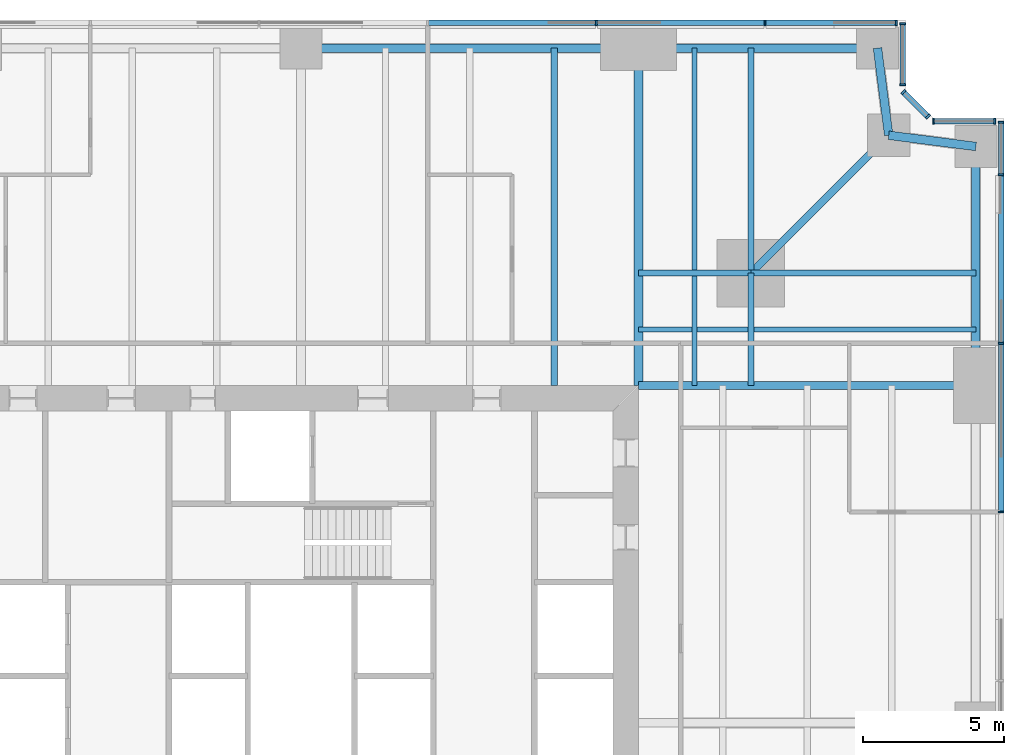
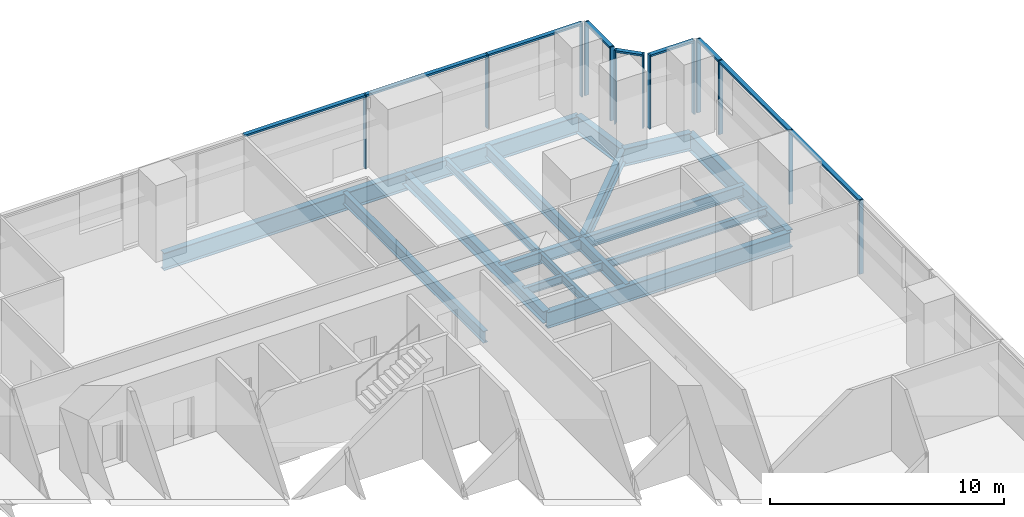
# One storey, part 7 of 13: 22 members, 18 beams, 5 elements without a shape of their own.
"""IFC4 building model written with IfcOpenShell, lengths in metres."""

from ifc_helpers import new_model, si_unit, direction, frame, origin, origin_2d, place, context, subcontext, project, spatial, rectangle, i_section, extrude, material, material_profile, profile_set, type_object, element, aggregate, save


model = new_model("IFC4")

# Units and contexts
model_context = context("Model", 3, precision=1e-05, world=origin(), true_north=direction((0.0, 1.0)))
body_context = subcontext(model_context, "Body", "Model", "MODEL_VIEW")
ifc_project = project(units=[si_unit("LENGTHUNIT", "METRE"), si_unit("AREAUNIT", "SQUARE_METRE"), si_unit("VOLUMEUNIT", "CUBIC_METRE"), si_unit("PLANEANGLEUNIT", "RADIAN"), si_unit("MASSUNIT", "GRAM", prefix="KILO")], contexts=[model_context])

# Site, building, storey
site_placement = place(None, origin())
site = spatial("IfcSite", under=ifc_project, at=site_placement, CompositionType="ELEMENT")
building_placement = place(site_placement, origin())
building = spatial("IfcBuilding", under=site, at=building_placement, Name="Fenwick Lantern Interchange", CompositionType="ELEMENT")
storey_placement = place(building_placement, frame((0.0, 0.0, 47.0)))
storey = spatial("IfcBuildingStorey", under=building, at=storey_placement, Name="L10", CompositionType="ELEMENT", Elevation=47.0)

# Beams
ifc_material_1 = material(Name="Steel ASTM A992 Grade 50", Category="steel")
ifc_material_profile_1 = material_profile(ifc_material_1, i_section(OverallWidth=0.3046875, OverallDepth=0.911865234375, WebThickness=0.015869140625, FlangeThickness=0.02392578125, at=origin_2d()), Name="W36X150")
ifc_profile_set_1 = profile_set([ifc_material_profile_1], Name="Steel ASTM A992 Grade 50")
beam_type_1 = type_object("IfcBeamType", Name="EDGE BEAM W36X150", PredefinedType="SPANDREL", material=ifc_profile_set_1)
beam_1_placement = place(storey_placement, frame((49.0, 37.0, -0.60595703125), z_axis=(0.0, 1.0, 0.0), x_axis=(-1.0, 0.0, 0.0)))
element("IfcBeam", 1, at=beam_1_placement, inside=storey, type_object=beam_type_1, Name="L10/FR/E/EB4", PredefinedType="SPANDREL", context=body_context, shape_type="SweptSolid", body=[
    extrude(i_section(OverallWidth=0.3046875, OverallDepth=0.911865234375, WebThickness=0.015869140625, FlangeThickness=0.02392578125, at=origin_2d()), origin(), (0.0, 0.0, 1.0), 8.5),
])
for number, where, z_axis, x_axis, name in (
    (2, (49.0, 45.5, -0.60595703125), (-0.991782342897, 0.127936641807, 0.0), (-0.127936641807, -0.991782342897, 0.0), "L10/FR/E/EBR1"),
    (3, (45.89990234375, 45.89990234375, -0.60595703125), (-0.127936641807, 0.991782342897, 0.0), (-0.991782342897, -0.127936641807, 0.0), "L10/FR/E/EBR2"),
):
    element("IfcBeam", number, at=place(storey_placement, frame(where, z_axis=z_axis, x_axis=x_axis)), inside=storey, type_object=beam_type_1, Name=name, PredefinedType="SPANDREL", context=body_context, shape_type="SweptSolid", body=[
        extrude(i_section(OverallWidth=0.3046875, OverallDepth=0.911865234375, WebThickness=0.015869140625, FlangeThickness=0.02392578125, at=origin_2d()), origin(), (0.0, 0.0, 1.0), 3.125732421875),
    ])
beam_2_placement = place(storey_placement, frame((45.5, 49.0, -0.60595703125), z_axis=(-1.0, 0.0, 0.0), x_axis=(0.0, -1.0, 0.0)))
element("IfcBeam", 4, at=beam_2_placement, inside=storey, type_object=beam_type_1, Name="L10/FR/N/EB1", PredefinedType="SPANDREL", context=body_context, shape_type="SweptSolid", body=[
    extrude(i_section(OverallWidth=0.3046875, OverallDepth=0.911865234375, WebThickness=0.015869140625, FlangeThickness=0.02392578125, at=origin_2d()), origin(), (0.0, 0.0, 1.0), 8.5),
])
beam_3_placement = place(storey_placement, frame((37.0, 49.0, -0.60595703125), z_axis=(-1.0, 0.0, 0.0), x_axis=(0.0, -1.0, 0.0)))
element("IfcBeam", 5, at=beam_3_placement, inside=storey, type_object=beam_type_1, Name="L10/FR/N/EB2", PredefinedType="SPANDREL", context=body_context, shape_type="SweptSolid", body=[
    extrude(i_section(OverallWidth=0.3046875, OverallDepth=0.911865234375, WebThickness=0.015869140625, FlangeThickness=0.02392578125, at=origin_2d()), origin(), (0.0, 0.0, 1.0), 12.0),
])
ifc_material_profile_2 = material_profile(ifc_material_1, i_section(OverallWidth=0.22900390625, OverallDepth=0.612060546875, WebThickness=0.011962890625, FlangeThickness=0.01953125, at=origin_2d()), Name="W24X84")
ifc_profile_set_2 = profile_set([ifc_material_profile_2], Name="Steel ASTM A992 Grade 50")
beam_type_2 = type_object("IfcBeamType", Name="FLOOR BEAM W24X84", PredefinedType="BEAM", material=ifc_profile_set_2)
beam_4_placement = place(storey_placement, frame((34.0, 49.0, -0.4560546875), z_axis=(0.0, -1.0, 0.0), x_axis=(1.0, 0.0, 0.0)))
element("IfcBeam", 6, at=beam_4_placement, inside=storey, type_object=beam_type_2, Name="L10/FR/N/R02", PredefinedType="BEAM", context=body_context, shape_type="SweptSolid", body=[
    extrude(i_section(OverallWidth=0.22900390625, OverallDepth=0.612060546875, WebThickness=0.011962890625, FlangeThickness=0.01953125, at=origin_2d()), origin(), (0.0, 0.0, 1.0), 12.0),
])
ifc_material_profile_3 = material_profile(ifc_material_1, i_section(OverallWidth=0.177734375, OverallDepth=0.406494140625, WebThickness=0.0078125, FlangeThickness=0.012939453125, at=origin_2d()), Name="W16X40")
ifc_profile_set_3 = profile_set([ifc_material_profile_3], Name="Steel ASTM A992 Grade 50")
beam_type_3 = type_object("IfcBeamType", Name="INFILL BEAM W16X40", PredefinedType="JOIST", material=ifc_profile_set_3)
beam_5_placement = place(storey_placement, frame((39.0, 49.0, -0.353271484375), z_axis=(0.0, -1.0, 0.0), x_axis=(1.0, 0.0, 0.0)))
element("IfcBeam", 7, at=beam_5_placement, inside=storey, type_object=beam_type_3, Name="L10/FR/N/J1", PredefinedType="JOIST", context=body_context, shape_type="SweptSolid", body=[
    extrude(i_section(OverallWidth=0.177734375, OverallDepth=0.406494140625, WebThickness=0.0078125, FlangeThickness=0.012939453125, at=origin_2d()), origin(), (0.0, 0.0, 1.0), 7.885498046875),
])
beam_6_placement = place(storey_placement, frame((39.0, 40.885498046875, -0.353271484375), z_axis=(0.0, -1.0, 0.0), x_axis=(1.0, 0.0, 0.0)))
element("IfcBeam", 8, at=beam_6_placement, inside=storey, type_object=beam_type_3, Name="L10/FR/N/J2", PredefinedType="JOIST", context=body_context, shape_type="SweptSolid", body=[
    extrude(i_section(OverallWidth=0.177734375, OverallDepth=0.406494140625, WebThickness=0.0078125, FlangeThickness=0.012939453125, at=origin_2d()), origin(), (0.0, 0.0, 1.0), 3.885498046875),
])
beam_7_placement = place(storey_placement, frame((49.0, 39.0, -0.353271484375), z_axis=(-1.0, 0.0, 0.0), x_axis=(0.0, -1.0, 0.0)))
element("IfcBeam", 9, at=beam_7_placement, inside=storey, type_object=beam_type_3, Name="L10/FR/N/J3", PredefinedType="JOIST", context=body_context, shape_type="SweptSolid", body=[
    extrude(i_section(OverallWidth=0.177734375, OverallDepth=0.406494140625, WebThickness=0.0078125, FlangeThickness=0.012939453125, at=origin_2d()), origin(), (0.0, 0.0, 1.0), 7.885498046875),
])
beam_8_placement = place(storey_placement, frame((40.885498046875, 39.0, -0.353271484375), z_axis=(-1.0, 0.0, 0.0), x_axis=(0.0, -1.0, 0.0)))
element("IfcBeam", 10, at=beam_8_placement, inside=storey, type_object=beam_type_3, Name="L10/FR/N/J4", PredefinedType="JOIST", context=body_context, shape_type="SweptSolid", body=[
    extrude(i_section(OverallWidth=0.177734375, OverallDepth=0.406494140625, WebThickness=0.0078125, FlangeThickness=0.012939453125, at=origin_2d()), origin(), (0.0, 0.0, 1.0), 1.796630859375),
])
beam_9_placement = place(storey_placement, frame((38.9111328125, 39.0, -0.353271484375), z_axis=(-1.0, 0.0, 0.0), x_axis=(0.0, -1.0, 0.0)))
element("IfcBeam", 11, at=beam_9_placement, inside=storey, type_object=beam_type_3, Name="L10/FR/N/J5", PredefinedType="JOIST", context=body_context, shape_type="SweptSolid", body=[
    extrude(i_section(OverallWidth=0.177734375, OverallDepth=0.406494140625, WebThickness=0.0078125, FlangeThickness=0.012939453125, at=origin_2d()), origin(), (0.0, 0.0, 1.0), 1.9111328125),
])
ifc_material_profile_4 = material_profile(ifc_material_1, i_section(OverallWidth=0.22900390625, OverallDepth=0.612060546875, WebThickness=0.011962890625, FlangeThickness=0.01953125, at=origin_2d()), Name="W24X84")
ifc_profile_set_4 = profile_set([ifc_material_profile_4], Name="Steel ASTM A992 Grade 50")
beam_type_4 = type_object("IfcBeamType", Name="MEGA COLUMN BEAM W24X84", PredefinedType="BEAM", material=ifc_profile_set_4)
for number, where, z_axis, x_axis, name in (
    (12, (41.0, 41.0, -0.4560546875), (0.0, 1.0, 0.0), (-1.0, 0.0, 0.0), "L10/FR/N/MB1"),
    (13, (41.0, 41.0, -0.4560546875), (1.0, 0.0, 0.0), (0.0, 1.0, 0.0), "L10/FR/N/MB2"),
):
    element("IfcBeam", number, at=place(storey_placement, frame(where, z_axis=z_axis, x_axis=x_axis)), inside=storey, type_object=beam_type_4, Name=name, PredefinedType="BEAM", context=body_context, shape_type="SweptSolid", body=[
        extrude(i_section(OverallWidth=0.22900390625, OverallDepth=0.612060546875, WebThickness=0.011962890625, FlangeThickness=0.01953125, at=origin_2d()), origin(), (0.0, 0.0, 1.0), 8.0),
    ])
for number, where, z_axis, x_axis, name in (
    (14, (41.0, 41.0, -0.4560546875), (-1.0, 0.0, 0.0), (0.0, -1.0, 0.0), "L10/FR/N/MB3"),
    (15, (41.0, 41.0, -0.4560546875), (0.0, -1.0, 0.0), (1.0, 0.0, 0.0), "L10/FR/N/MB4"),
):
    element("IfcBeam", number, at=place(storey_placement, frame(where, z_axis=z_axis, x_axis=x_axis)), inside=storey, type_object=beam_type_4, Name=name, PredefinedType="BEAM", context=body_context, shape_type="SweptSolid", body=[
        extrude(i_section(OverallWidth=0.22900390625, OverallDepth=0.612060546875, WebThickness=0.011962890625, FlangeThickness=0.01953125, at=origin_2d()), origin(), (0.0, 0.0, 1.0), 4.0),
    ])
ifc_material_profile_5 = material_profile(ifc_material_1, i_section(OverallWidth=0.32763671875, OverallDepth=0.622314453125, WebThickness=0.015380859375, FlangeThickness=0.0244140625, at=origin_2d()), Name="W24X131")
ifc_profile_set_5 = profile_set([ifc_material_profile_5], Name="Steel ASTM A992 Grade 50")
beam_type_5 = type_object("IfcBeamType", Name="MOMENT-CONNECTED GIRDER W24X131", PredefinedType="BEAM", material=ifc_profile_set_5)
beam_10_placement = place(storey_placement, frame((37.0, 49.0, -0.461181640625), z_axis=(0.0, -1.0, 0.0), x_axis=(1.0, 0.0, 0.0)))
element("IfcBeam", 16, at=beam_10_placement, inside=storey, type_object=beam_type_5, Name="L10/FR/N/R01", PredefinedType="BEAM", context=body_context, shape_type="SweptSolid", body=[
    extrude(i_section(OverallWidth=0.32763671875, OverallDepth=0.622314453125, WebThickness=0.015380859375, FlangeThickness=0.0244140625, at=origin_2d()), origin(), (0.0, 0.0, 1.0), 12.0),
])
ifc_material_profile_6 = material_profile(ifc_material_1, i_section(OverallWidth=0.2919921875, OverallDepth=0.845703125, WebThickness=0.015380859375, FlangeThickness=0.0244140625, at=origin_2d()), Name="W33X141")
ifc_profile_set_6 = profile_set([ifc_material_profile_6], Name="Steel ASTM A992 Grade 50")
beam_type_6 = type_object("IfcBeamType", Name="MOMENT-CONNECTED GIRDER W33X141", PredefinedType="BEAM", material=ifc_profile_set_6)
beam_11_placement = place(storey_placement, frame((49.0, 37.0, -0.572998046875), z_axis=(-1.0, 0.0, 0.0), x_axis=(0.0, -1.0, 0.0)))
element("IfcBeam", 17, at=beam_11_placement, inside=storey, type_object=beam_type_6, Name="L10/FR/E/R03", PredefinedType="BEAM", context=body_context, shape_type="SweptSolid", body=[
    extrude(i_section(OverallWidth=0.2919921875, OverallDepth=0.845703125, WebThickness=0.015380859375, FlangeThickness=0.0244140625, at=origin_2d()), origin(), (0.0, 0.0, 1.0), 12.0),
])
ifc_material_profile_7 = material_profile(ifc_material_1, i_section(OverallWidth=0.2666015625, OverallDepth=0.7568359375, WebThickness=0.013916015625, FlangeThickness=0.019287109375, at=origin_2d()), Name="W30X108")
ifc_profile_set_7 = profile_set([ifc_material_profile_7], Name="Steel ASTM A992 Grade 50")
beam_type_7 = type_object("IfcBeamType", Name="NOTCH BEAM W30X108", PredefinedType="BEAM", material=ifc_profile_set_7)
beam_12_placement = place(storey_placement, frame((41.0, 41.0, -0.528564453125), z_axis=(0.707106781187, 0.707106781187, 0.0), x_axis=(-0.707106781187, 0.707106781187, 0.0)))
element("IfcBeam", 18, at=beam_12_placement, inside=storey, type_object=beam_type_7, Name="L10/FR/N/TG", PredefinedType="BEAM", context=body_context, shape_type="SweptSolid", body=[
    extrude(i_section(OverallWidth=0.2666015625, OverallDepth=0.7568359375, WebThickness=0.013916015625, FlangeThickness=0.019287109375, at=origin_2d()), origin(), (0.0, 0.0, 1.0), 6.929443359375),
])

# Curtain wall, members
ifc_material_2 = material(Name="Aluminium curtain wall frame", Category="aluminium")
curtain_wall_type = type_object("IfcCurtainWallType", Name="OFFICE CURTAIN WALL", PredefinedType="USERDEFINED", material=ifc_material_2)
curtain_wall_1_placement = place(storey_placement, origin())
curtain_wall_1 = element("IfcCurtainWall", 19, at=curtain_wall_1_placement, inside=storey, type_object=curtain_wall_type, Name="Office curtain wall 05", ObjectType="OFFICE CURTAIN WALL", PredefinedType="USERDEFINED")
ifc_material_3 = material(Name="Aluminium extrusion", Category="aluminium")
ifc_material_profile_8 = material_profile(ifc_material_3, rectangle(XDim=0.199951171875, YDim=0.06494140625, at=origin_2d()), Name="OFFICE CURTAIN WALL MULLION 65 X 200")
ifc_profile_set_8 = profile_set([ifc_material_profile_8], Name="Aluminium extrusion")
member_type_1 = type_object("IfcMemberType", Name="OFFICE CURTAIN WALL MULLION 65 X 200", PredefinedType="MULLION", material=ifc_profile_set_8)
member_1_placement = place(storey_placement, frame((49.89990234375, 32.5, 0.0), z_axis=(0.0, 0.0, 1.0), x_axis=(-1.0, 0.0, 0.0)))
member_1 = element("IfcMember", 20, at=member_1_placement, type_object=member_type_1, Name="L10/CW/05/M05", PredefinedType="MULLION", context=body_context, shape_type="SweptSolid", body=[
    extrude(rectangle(XDim=0.199951171875, YDim=0.06494140625, at=origin_2d()), origin(), (0.0, 0.0, 1.0), 3.85009765625),
])
member_2_placement = place(storey_placement, frame((49.89990234375, 38.5, 0.0), z_axis=(0.0, 0.0, 1.0), x_axis=(-1.0, 0.0, 0.0)))
member_2 = element("IfcMember", 21, at=member_2_placement, type_object=member_type_1, Name="L10/CW/05/M06", PredefinedType="MULLION", context=body_context, shape_type="SweptSolid", body=[
    extrude(rectangle(XDim=0.199951171875, YDim=0.06494140625, at=origin_2d()), origin(), (0.0, 0.0, 1.0), 3.85009765625),
])
member_3_placement = place(storey_placement, frame((49.89990234375, 44.5, 0.0), z_axis=(0.0, 0.0, 1.0), x_axis=(-1.0, 0.0, 0.0)))
member_3 = element("IfcMember", 22, at=member_3_placement, type_object=member_type_1, Name="L10/CW/05/M07", PredefinedType="MULLION", context=body_context, shape_type="SweptSolid", body=[
    extrude(rectangle(XDim=0.199951171875, YDim=0.06494140625, at=origin_2d()), origin(), (0.0, 0.0, 1.0), 3.85009765625),
])
member_4_placement = place(storey_placement, frame((49.89990234375, 46.367431640625, 0.0), z_axis=(0.0, 0.0, 1.0), x_axis=(-1.0, 0.0, 0.0)))
member_4 = element("IfcMember", 23, at=member_4_placement, type_object=member_type_1, Name="L10/CW/05/M08", PredefinedType="MULLION", context=body_context, shape_type="SweptSolid", body=[
    extrude(rectangle(XDim=0.199951171875, YDim=0.06494140625, at=origin_2d()), origin(), (0.0, 0.0, 1.0), 3.85009765625),
])

curtain_wall_2_placement = place(storey_placement, origin())
curtain_wall_2 = element("IfcCurtainWall", 24, at=curtain_wall_2_placement, inside=storey, type_object=curtain_wall_type, Name="Office curtain wall 06", ObjectType="OFFICE CURTAIN WALL", PredefinedType="USERDEFINED")
member_5_placement = place(storey_placement, frame((49.66748046875, 46.39990234375, 0.0), z_axis=(0.0, 0.0, 1.0), x_axis=(0.0, -1.0, 0.0)))
member_5 = element("IfcMember", 25, at=member_5_placement, type_object=member_type_1, Name="L10/CW/06/M00", PredefinedType="MULLION", context=body_context, shape_type="SweptSolid", body=[
    extrude(rectangle(XDim=0.199951171875, YDim=0.06494140625, at=origin_2d()), origin(), (0.0, 0.0, 1.0), 3.85009765625),
])
member_6_placement = place(storey_placement, frame((47.490966796875, 46.39990234375, 0.0), z_axis=(0.0, 0.0, 1.0), x_axis=(0.0, -1.0, 0.0)))
member_6 = element("IfcMember", 26, at=member_6_placement, type_object=member_type_1, Name="L10/CW/06/M01", PredefinedType="MULLION", context=body_context, shape_type="SweptSolid", body=[
    extrude(rectangle(XDim=0.199951171875, YDim=0.06494140625, at=origin_2d()), origin(), (0.0, 0.0, 1.0), 3.85009765625),
])

curtain_wall_3_placement = place(storey_placement, origin())
curtain_wall_3 = element("IfcCurtainWall", 27, at=curtain_wall_3_placement, inside=storey, type_object=curtain_wall_type, Name="Office curtain wall 07", ObjectType="OFFICE CURTAIN WALL", PredefinedType="USERDEFINED")
member_7_placement = place(storey_placement, frame((47.294189453125, 46.564453125, 0.0), z_axis=(0.0, 0.0, 1.0), x_axis=(-0.707106781187, -0.707106781187, 0.0)))
member_7 = element("IfcMember", 28, at=member_7_placement, type_object=member_type_1, Name="L10/CW/07/M00", PredefinedType="MULLION", context=body_context, shape_type="SweptSolid", body=[
    extrude(rectangle(XDim=0.199951171875, YDim=0.06494140625, at=origin_2d()), origin(), (0.0, 0.0, 1.0), 3.85009765625),
])
member_8_placement = place(storey_placement, frame((46.423095703125, 47.435546875, 0.0), z_axis=(0.0, 0.0, 1.0), x_axis=(-0.707106781187, -0.707106781187, 0.0)))
member_8 = element("IfcMember", 29, at=member_8_placement, type_object=member_type_1, Name="L10/CW/07/M01", PredefinedType="MULLION", context=body_context, shape_type="SweptSolid", body=[
    extrude(rectangle(XDim=0.199951171875, YDim=0.06494140625, at=origin_2d()), origin(), (0.0, 0.0, 1.0), 3.85009765625),
])

curtain_wall_4_placement = place(storey_placement, origin())
curtain_wall_4 = element("IfcCurtainWall", 30, at=curtain_wall_4_placement, inside=storey, type_object=curtain_wall_type, Name="Office curtain wall 08", ObjectType="OFFICE CURTAIN WALL", PredefinedType="USERDEFINED")
member_9_placement = place(storey_placement, frame((46.39990234375, 47.691162109375, 0.0), z_axis=(0.0, 0.0, 1.0), x_axis=(-1.0, 0.0, 0.0)))
member_9 = element("IfcMember", 31, at=member_9_placement, type_object=member_type_1, Name="L10/CW/08/M00", PredefinedType="MULLION", context=body_context, shape_type="SweptSolid", body=[
    extrude(rectangle(XDim=0.199951171875, YDim=0.06494140625, at=origin_2d()), origin(), (0.0, 0.0, 1.0), 3.85009765625),
])
member_10_placement = place(storey_placement, frame((46.39990234375, 49.867431640625, 0.0), z_axis=(0.0, 0.0, 1.0), x_axis=(-1.0, 0.0, 0.0)))
member_10 = element("IfcMember", 32, at=member_10_placement, type_object=member_type_1, Name="L10/CW/08/M01", PredefinedType="MULLION", context=body_context, shape_type="SweptSolid", body=[
    extrude(rectangle(XDim=0.199951171875, YDim=0.06494140625, at=origin_2d()), origin(), (0.0, 0.0, 1.0), 3.85009765625),
])

curtain_wall_5_placement = place(storey_placement, origin())
curtain_wall_5 = element("IfcCurtainWall", 33, at=curtain_wall_5_placement, inside=storey, type_object=curtain_wall_type, Name="Office curtain wall 09", ObjectType="OFFICE CURTAIN WALL", PredefinedType="USERDEFINED")
member_11_placement = place(storey_placement, frame((46.16748046875, 49.89990234375, 0.0), z_axis=(0.0, 0.0, 1.0), x_axis=(0.0, -1.0, 0.0)))
member_11 = element("IfcMember", 34, at=member_11_placement, type_object=member_type_1, Name="L10/CW/09/M00", PredefinedType="MULLION", context=body_context, shape_type="SweptSolid", body=[
    extrude(rectangle(XDim=0.199951171875, YDim=0.06494140625, at=origin_2d()), origin(), (0.0, 0.0, 1.0), 3.85009765625),
])
member_12_placement = place(storey_placement, frame((41.5, 49.89990234375, 0.0), z_axis=(0.0, 0.0, 1.0), x_axis=(0.0, -1.0, 0.0)))
member_12 = element("IfcMember", 35, at=member_12_placement, type_object=member_type_1, Name="L10/CW/09/M01", PredefinedType="MULLION", context=body_context, shape_type="SweptSolid", body=[
    extrude(rectangle(XDim=0.199951171875, YDim=0.06494140625, at=origin_2d()), origin(), (0.0, 0.0, 1.0), 3.85009765625),
])
member_13_placement = place(storey_placement, frame((35.5, 49.89990234375, 0.0), z_axis=(0.0, 0.0, 1.0), x_axis=(0.0, -1.0, 0.0)))
member_13 = element("IfcMember", 36, at=member_13_placement, type_object=member_type_1, Name="L10/CW/09/M02", PredefinedType="MULLION", context=body_context, shape_type="SweptSolid", body=[
    extrude(rectangle(XDim=0.199951171875, YDim=0.06494140625, at=origin_2d()), origin(), (0.0, 0.0, 1.0), 3.85009765625),
])

# Member
ifc_material_profile_9 = material_profile(ifc_material_3, rectangle(XDim=0.199951171875, YDim=0.10009765625, at=origin_2d()), Name="OFFICE CURTAIN WALL TRANSOM 100 X 200")
ifc_profile_set_9 = profile_set([ifc_material_profile_9], Name="Aluminium extrusion")
member_type_2 = type_object("IfcMemberType", Name="OFFICE CURTAIN WALL TRANSOM 100 X 200", PredefinedType="MULLION", material=ifc_profile_set_9)
member_14_placement = place(storey_placement, frame((49.89990234375, 32.532470703125, 3.800048828125), z_axis=(0.0, 1.0, 0.0), x_axis=(-1.0, 0.0, 0.0)))
member_14 = element("IfcMember", 37, at=member_14_placement, type_object=member_type_2, Name="L10/CW/05/T05", PredefinedType="MULLION", context=body_context, shape_type="SweptSolid", body=[
    extrude(rectangle(XDim=0.199951171875, YDim=0.10009765625, at=origin_2d()), origin(), (0.0, 0.0, 1.0), 5.93505859375),
])

member_15_placement = place(storey_placement, frame((49.89990234375, 38.532470703125, 3.800048828125), z_axis=(0.0, 1.0, 0.0), x_axis=(-1.0, 0.0, 0.0)))
member_15 = element("IfcMember", 38, at=member_15_placement, type_object=member_type_2, Name="L10/CW/05/T06", PredefinedType="MULLION", context=body_context, shape_type="SweptSolid", body=[
    extrude(rectangle(XDim=0.199951171875, YDim=0.10009765625, at=origin_2d()), origin(), (0.0, 0.0, 1.0), 5.93505859375),
])

member_16_placement = place(storey_placement, frame((49.89990234375, 44.532470703125, 3.800048828125), z_axis=(0.0, 1.0, 0.0), x_axis=(-1.0, 0.0, 0.0)))
member_16 = element("IfcMember", 39, at=member_16_placement, type_object=member_type_2, Name="L10/CW/05/T07", PredefinedType="MULLION", context=body_context, shape_type="SweptSolid", body=[
    extrude(rectangle(XDim=0.199951171875, YDim=0.10009765625, at=origin_2d()), origin(), (0.0, 0.0, 1.0), 1.802490234375),
])

aggregate(curtain_wall_1, [member_1, member_2, member_3, member_4, member_14, member_15, member_16])

member_17_placement = place(storey_placement, frame((49.635009765625, 46.39990234375, 3.800048828125), z_axis=(-1.0, 0.0, 0.0), x_axis=(0.0, -1.0, 0.0)))
member_17 = element("IfcMember", 40, at=member_17_placement, type_object=member_type_2, Name="L10/CW/06/T00", PredefinedType="MULLION", context=body_context, shape_type="SweptSolid", body=[
    extrude(rectangle(XDim=0.199951171875, YDim=0.10009765625, at=origin_2d()), origin(), (0.0, 0.0, 1.0), 2.111328125),
])

aggregate(curtain_wall_2, [member_5, member_6, member_17])

member_18_placement = place(storey_placement, frame((47.271240234375, 46.58740234375, 3.800048828125), z_axis=(-0.707106781187, 0.707106781187, 0.0), x_axis=(-0.707106781187, -0.707106781187, 0.0)))
member_18 = element("IfcMember", 41, at=member_18_placement, type_object=member_type_2, Name="L10/CW/07/T00", PredefinedType="MULLION", context=body_context, shape_type="SweptSolid", body=[
    extrude(rectangle(XDim=0.199951171875, YDim=0.10009765625, at=origin_2d()), origin(), (0.0, 0.0, 1.0), 1.1669921875),
])

aggregate(curtain_wall_3, [member_7, member_8, member_18])

member_19_placement = place(storey_placement, frame((46.39990234375, 47.7236328125, 3.800048828125), z_axis=(0.0, 1.0, 0.0), x_axis=(-1.0, 0.0, 0.0)))
member_19 = element("IfcMember", 42, at=member_19_placement, type_object=member_type_2, Name="L10/CW/08/T00", PredefinedType="MULLION", context=body_context, shape_type="SweptSolid", body=[
    extrude(rectangle(XDim=0.199951171875, YDim=0.10009765625, at=origin_2d()), origin(), (0.0, 0.0, 1.0), 2.111328125),
])

aggregate(curtain_wall_4, [member_9, member_10, member_19])

member_20_placement = place(storey_placement, frame((46.135009765625, 49.89990234375, 3.800048828125), z_axis=(-1.0, 0.0, 0.0), x_axis=(0.0, -1.0, 0.0)))
member_20 = element("IfcMember", 43, at=member_20_placement, type_object=member_type_2, Name="L10/CW/09/T00", PredefinedType="MULLION", context=body_context, shape_type="SweptSolid", body=[
    extrude(rectangle(XDim=0.199951171875, YDim=0.10009765625, at=origin_2d()), origin(), (0.0, 0.0, 1.0), 4.6025390625),
])

member_21_placement = place(storey_placement, frame((41.467529296875, 49.89990234375, 3.800048828125), z_axis=(-1.0, 0.0, 0.0), x_axis=(0.0, -1.0, 0.0)))
member_21 = element("IfcMember", 44, at=member_21_placement, type_object=member_type_2, Name="L10/CW/09/T01", PredefinedType="MULLION", context=body_context, shape_type="SweptSolid", body=[
    extrude(rectangle(XDim=0.199951171875, YDim=0.10009765625, at=origin_2d()), origin(), (0.0, 0.0, 1.0), 5.93505859375),
])

member_22_placement = place(storey_placement, frame((35.467529296875, 49.89990234375, 3.800048828125), z_axis=(-1.0, 0.0, 0.0), x_axis=(0.0, -1.0, 0.0)))
member_22 = element("IfcMember", 45, at=member_22_placement, type_object=member_type_2, Name="L10/CW/09/T02", PredefinedType="MULLION", context=body_context, shape_type="SweptSolid", body=[
    extrude(rectangle(XDim=0.199951171875, YDim=0.10009765625, at=origin_2d()), origin(), (0.0, 0.0, 1.0), 5.93505859375),
])

aggregate(curtain_wall_5, [member_11, member_12, member_13, member_20, member_21, member_22])

save(model, "model.ifc")
